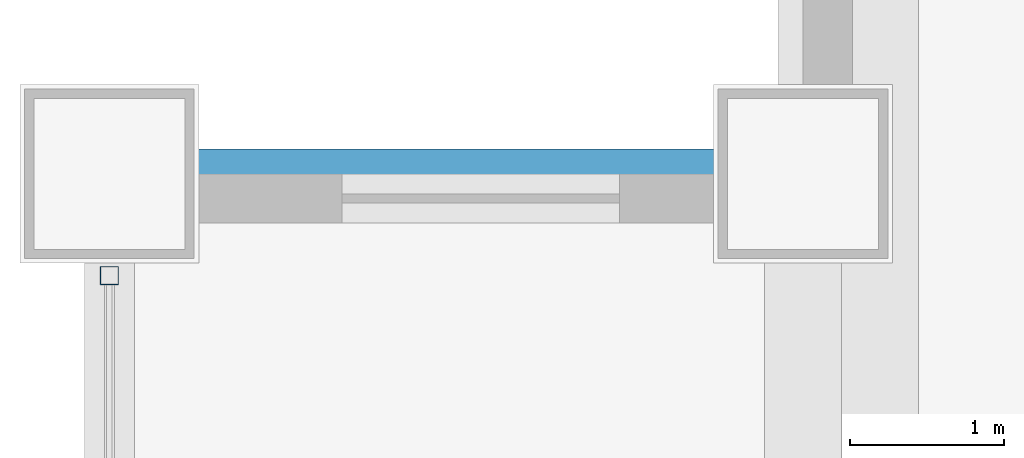
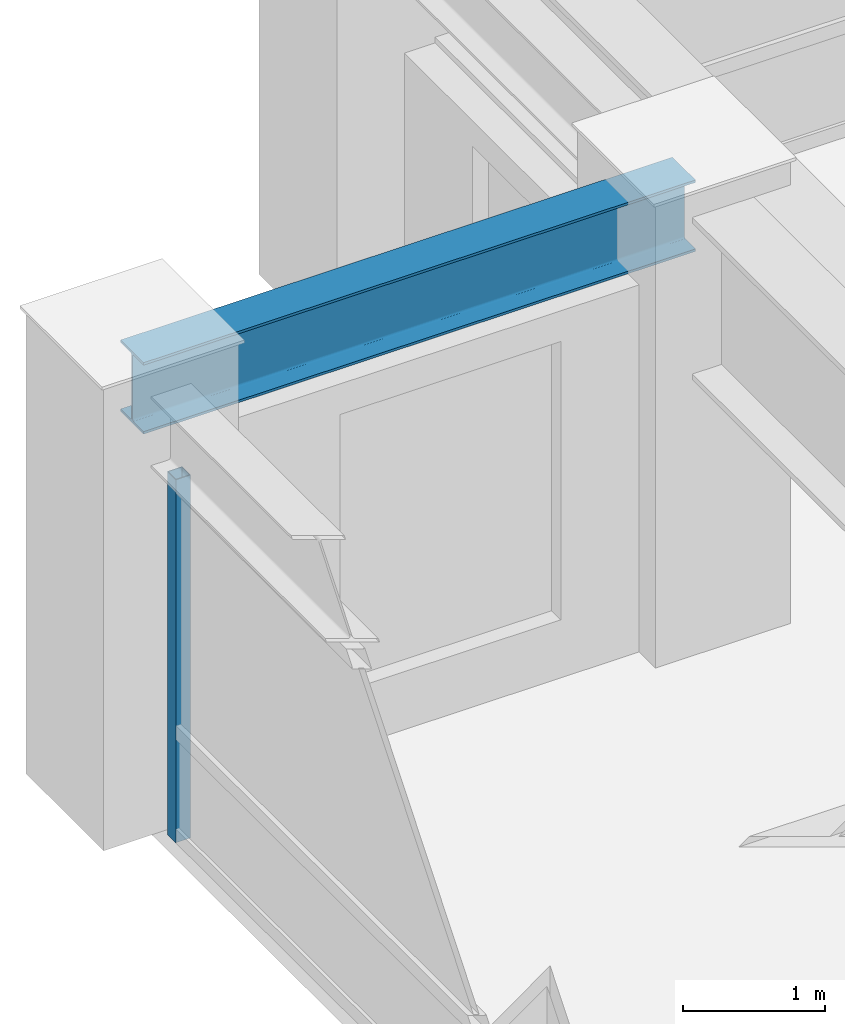
# One storey, part 12 of 26: 1 beam, 1 member, 1 element without a shape of its own.
"""IFC4 building model written with IfcOpenShell, lengths in metres."""

import ifcopenshell
import ifcopenshell.guid

model = None  # the IFC model being written
_history = None  # IfcOwnerHistory: only IFC2X3 demands one
_inside = {}  # id of a spatial element -> (the spatial element, [elements in it])
_under = {}  # id of a project, library or spatial element -> (it, [spatial elements below it])
_declared = {}  # id of a project -> (the project, [libraries it declares])
_typed = {}  # id of a type object -> (the type object, [elements of that type])
_made_of = {}  # id of a material, layer set ... -> (it, [elements and type objects made of it])


def new_model(schema):
    """Start an empty IFC model of exactly this schema.

    Asked for "IFC4X3", IfcOpenShell would pick the latest addendum, in which some entities
    have other attributes; the version numbers below select the first issue.
    IFC2X3 requires an IfcOwnerHistory on every rooted entity: one is made here for all.
    """
    global model, _history
    if schema == "IFC4X3":
        model = ifcopenshell.file(schema_version=(4, 3, 0, 0))
    else:
        model = ifcopenshell.file(schema=schema)
    _inside.clear()
    _under.clear()
    _declared.clear()
    _typed.clear()
    _made_of.clear()
    _history = None
    if model.schema == "IFC2X3":
        org = make("IfcOrganization", Name="unknown")
        user = make(
            "IfcPersonAndOrganization",
            ThePerson=make("IfcPerson", FamilyName="unknown"),
            TheOrganization=org,
        )
        app = make(
            "IfcApplication",
            ApplicationDeveloper=org,
            Version="unknown",
            ApplicationFullName="unknown",
            ApplicationIdentifier="unknown",
        )
        _history = make(
            "IfcOwnerHistory",
            OwningUser=user,
            OwningApplication=app,
            ChangeAction="ADDED",
            CreationDate=0,
        )
    return model


def make(cls, **values):
    """One entity of the class cls with the attributes given. An attribute that is None is left unset."""
    return model.create_entity(
        cls, **{name: value for name, value in values.items() if value is not None}
    )


def rooted(cls, **values):
    """An entity with a GlobalId (a new one), such as an element, a storey or a relation."""
    return make(cls, GlobalId=ifcopenshell.guid.new(), OwnerHistory=_history, **values)


def si_unit(unit_type, name, prefix=None):
    """IfcSIUnit, for example si_unit("LENGTHUNIT", "METRE", prefix="MILLI")."""
    return make("IfcSIUnit", UnitType=unit_type, Prefix=prefix, Name=name)


def assignment(units):
    """IfcUnitAssignment: the units of a project."""
    return None if units is None else make("IfcUnitAssignment", Units=units)


def point(xyz):
    """IfcCartesianPoint."""
    return None if xyz is None else make("IfcCartesianPoint", Coordinates=xyz)


def direction(xyz):
    """IfcDirection."""
    return None if xyz is None else make("IfcDirection", DirectionRatios=xyz)


def frame(location, z_axis=None, x_axis=None):
    """IfcAxis2Placement3D, a coordinate frame: its origin and axes. An axis left out is left unset."""
    return make(
        "IfcAxis2Placement3D",
        Location=point(location),
        Axis=direction(z_axis),
        RefDirection=direction(x_axis),
    )


def frame_2d(location, x_axis=None):
    """IfcAxis2Placement2D, a coordinate frame in the plane: its origin and x axis."""
    return make(
        "IfcAxis2Placement2D", Location=point(location), RefDirection=direction(x_axis)
    )


def origin():
    """The frame at (0, 0, 0) with its axes left unset."""
    return frame((0.0, 0.0, 0.0))


def origin_2d():
    """The frame at (0, 0) in the plane with its x axis left unset."""
    return frame_2d((0.0, 0.0))


def place(relative_to, where):
    """IfcLocalPlacement: puts the frame where relative to a parent placement (None: the world)."""
    return make(
        "IfcLocalPlacement", PlacementRelTo=relative_to, RelativePlacement=where
    )


def context(
    kind, dimensions, precision=None, world=None, true_north=None, identifier=None
):
    """IfcGeometricRepresentationContext, for example the 3D "Model" context."""
    return make(
        "IfcGeometricRepresentationContext",
        ContextIdentifier=identifier,
        ContextType=kind,
        CoordinateSpaceDimension=dimensions,
        Precision=precision,
        WorldCoordinateSystem=world,
        TrueNorth=true_north,
    )


def subcontext(parent, identifier, kind, view, scale=None):
    """IfcGeometricRepresentationSubContext, for example "Body" below "Model"."""
    return make(
        "IfcGeometricRepresentationSubContext",
        ContextIdentifier=identifier,
        ContextType=kind,
        ParentContext=parent,
        TargetScale=scale,
        TargetView=view,
    )


def project(units=None, contexts=None):
    """IfcProject with its units and contexts."""
    return rooted(
        "IfcProject",
        Name="project",
        RepresentationContexts=contexts,
        UnitsInContext=assignment(units),
    )


def spatial(cls, under=None, at=None, **own):
    """A site, building, storey or space (cls), placed at a placement, below another one or the project."""
    s = rooted(cls, ObjectPlacement=at, **own)
    if under is not None:
        _under.setdefault(under.id(), (under, []))[1].append(s)
    return s


def profile(cls, at=None, kind="AREA", **sizes):
    """A parametric profile (cls). Its sizes go by their IFC names, for example OverallWidth=200.0."""
    return make(cls, ProfileType=kind, Position=at, **sizes)


def hollow_rectangle(**sizes):
    """IfcRectangleHollowProfileDef."""
    return profile("IfcRectangleHollowProfileDef", **sizes)


def i_section(**sizes):
    """IfcIShapeProfileDef."""
    return profile("IfcIShapeProfileDef", **sizes)


def extrude(swept, where, along, depth):
    """IfcExtrudedAreaSolid: the profile swept, set in the frame where, extruded along a direction by depth."""
    return make(
        "IfcExtrudedAreaSolid",
        SweptArea=swept,
        Position=where,
        ExtrudedDirection=direction(along),
        Depth=depth,
    )


def shape(context_of_items, identifier, shape_type, items):
    """IfcShapeRepresentation: the items that make up one representation, for example the "Body"."""
    return make(
        "IfcShapeRepresentation",
        ContextOfItems=context_of_items,
        RepresentationIdentifier=identifier,
        RepresentationType=shape_type,
        Items=items,
    )


def source(mapping_origin, context_of_items, identifier, shape_type, items):
    """IfcRepresentationMap: a shape defined once, which mapped items show again and again."""
    return make(
        "IfcRepresentationMap",
        MappingOrigin=mapping_origin,
        MappedRepresentation=shape(context_of_items, identifier, shape_type, items),
    )


def transform(
    local_origin,
    x_axis=None,
    y_axis=None,
    z_axis=None,
    scale=None,
    scale2=None,
    scale3=None,
    uniform=True,
):
    """IfcCartesianTransformationOperator3D, or its non-uniform kind. x_axis, y_axis, z_axis: its Axis1, 2, 3."""
    if uniform:
        return make(
            "IfcCartesianTransformationOperator3D",
            Axis1=direction(x_axis),
            Axis2=direction(y_axis),
            LocalOrigin=point(local_origin),
            Scale=scale,
            Axis3=direction(z_axis),
        )
    return make(
        "IfcCartesianTransformationOperator3DnonUniform",
        Axis1=direction(x_axis),
        Axis2=direction(y_axis),
        LocalOrigin=point(local_origin),
        Scale=scale,
        Axis3=direction(z_axis),
        Scale2=scale2,
        Scale3=scale3,
    )


def mapped(mapping_source, mapping_target):
    """IfcMappedItem: shows the shape of a source again, moved by a transform."""
    return make(
        "IfcMappedItem", MappingSource=mapping_source, MappingTarget=mapping_target
    )


def material(Name=None, Category=None):
    """IfcMaterial."""
    return make("IfcMaterial", Name=Name, Category=Category)


def material_profile(
    of_material, cross_section, Name=None, Category=None, Priority=None
):
    """IfcMaterialProfile: a cross section and its material."""
    return make(
        "IfcMaterialProfile",
        Name=Name,
        Material=of_material,
        Profile=cross_section,
        Priority=Priority,
        Category=Category,
    )


def profile_set(profiles, Name=None, composite=None):
    """IfcMaterialProfileSet."""
    return make(
        "IfcMaterialProfileSet",
        Name=Name,
        MaterialProfiles=profiles,
        CompositeProfile=composite,
    )


def made_of(thing, what):
    """Note that an element or type object is made of a material, layer set ...; save() writes the relation."""
    if what is not None:
        _made_of.setdefault(what.id(), (what, []))[1].append(thing)
    return thing


def type_object(cls, material=None, **own):
    """A type object (cls), such as IfcWallType, which elements share."""
    return made_of(rooted(cls, **own), material)


def element(
    cls,
    number,
    at=None,
    inside=None,
    cuts=None,
    type_object=None,
    material=None,
    context=None,
    identifier="Body",
    shape_type=None,
    held_by="IfcProductDefinitionShape",
    body=None,
    shapes=None,
    **own,
):
    """One element of the class cls, such as IfcWall. Its Tag is "e" and its number.

    at: its placement. inside: the storey or other place that contains it. cuts: it is an
    opening in that element (IfcRelVoidsElement). A single representation is given by context,
    identifier, shape_type and body (its items); several are given by shapes. held_by: the class
    of the entity that holds the representations. save() writes the other relations.
    """
    e = rooted(cls, Tag="e%d" % number, ObjectPlacement=at, **own)
    if body is not None:
        shapes = [shape(context, identifier, shape_type, body)]
    if shapes is not None:
        e.Representation = make(held_by, Representations=shapes)
    if inside is not None:
        _inside.setdefault(inside.id(), (inside, []))[1].append(e)
    if cuts is not None:
        rooted(
            "IfcRelVoidsElement", RelatingBuildingElement=cuts, RelatedOpeningElement=e
        )
    if type_object is not None:
        _typed.setdefault(type_object.id(), (type_object, []))[1].append(e)
    return made_of(e, material)


def aggregate(whole, parts):
    """IfcRelAggregates: a whole, such as a stair, and the parts it consists of."""
    return rooted("IfcRelAggregates", RelatingObject=whole, RelatedObjects=parts)


def save(model, path):
    """Write the relations noted so far, then the file.

    IfcRelAggregates (storeys below a building ...), IfcRelContainedInSpatialStructure (elements
    in a storey), IfcRelDefinesByType, IfcRelAssociatesMaterial and IfcRelDeclares: one each for
    every whole, place, type object, material and project.
    """
    for whole, parts in _under.values():
        aggregate(whole, parts)
    for where, things in _inside.values():
        rooted(
            "IfcRelContainedInSpatialStructure",
            RelatedElements=things,
            RelatingStructure=where,
        )
    for kind, things in _typed.values():
        rooted("IfcRelDefinesByType", RelatedObjects=things, RelatingType=kind)
    for what, things in _made_of.values():
        rooted("IfcRelAssociatesMaterial", RelatedObjects=things, RelatingMaterial=what)
    for by, libraries in _declared.values():
        rooted("IfcRelDeclares", RelatingContext=by, RelatedDefinitions=libraries)
    model.write(path)


model = new_model("IFC4")

# Units and contexts
model_context = context("Model", 3, precision=1e-05, world=origin(), true_north=direction((0.0, 1.0)))
body_context = subcontext(model_context, "Body", "Model", "MODEL_VIEW")
ifc_project = project(units=[si_unit("LENGTHUNIT", "METRE"), si_unit("AREAUNIT", "SQUARE_METRE"), si_unit("VOLUMEUNIT", "CUBIC_METRE"), si_unit("PLANEANGLEUNIT", "RADIAN"), si_unit("MASSUNIT", "GRAM", prefix="KILO")], contexts=[model_context])

# Site, building, storey
site_placement = place(None, origin())
site = spatial("IfcSite", under=ifc_project, at=site_placement, CompositionType="ELEMENT")
building_placement = place(site_placement, origin())
building = spatial("IfcBuilding", under=site, at=building_placement, Name="Khorayat Bourse Tower", CompositionType="ELEMENT")
storey_placement = place(building_placement, frame((0.0, 0.0, 207.10009765625)))
storey = spatial("IfcBuildingStorey", under=building, at=storey_placement, Name="L48", CompositionType="ELEMENT", Elevation=207.10009765625)

# Beam
ifc_material_1 = material(Name="Steel ASTM A992 Grade 50", Category="steel")
ifc_material_profile_1 = material_profile(ifc_material_1, i_section(OverallWidth=0.324951171875, OverallDepth=0.615966796875, WebThickness=0.013916015625, FlangeThickness=0.021484375, FilletRadius=0.01611328125, at=origin_2d()), Name="W610X174")
ifc_profile_set_1 = profile_set([ifc_material_profile_1], Name="Steel ASTM A992 Grade 50")
beam_type = type_object("IfcBeamType", Name="BM-SPAN-610", PredefinedType="SPANDREL", material=ifc_profile_set_1)
shared_shape_1 = source(origin(), body_context, "Body", "SweptSolid", [
    extrude(i_section(OverallWidth=0.324951171875, OverallDepth=0.615966796875, WebThickness=0.013916015625, FlangeThickness=0.021484375, FilletRadius=0.01611328125, at=origin_2d()), origin(), (0.0, 0.0, 1.0), 4.5),
])
beam_placement = place(storey_placement, frame((-30.0, 25.5, 3.471923828125), z_axis=(1.0, 0.0, 0.0), x_axis=(0.0, 1.0, 0.0)))
element("IfcBeam", 1, at=beam_placement, inside=storey, type_object=beam_type, Name="L48 BM-SPAN-610 BM-L48-SPN-053", PredefinedType="SPANDREL", context=body_context, shape_type="MappedRepresentation", body=[
    mapped(shared_shape_1, transform((0.0, 0.0, 0.0), scale=1.0)),
])

# Curtain wall, member
ifc_material_2 = material(Name="Aluminium EN AW-6063 T6", Category="aluminium")
curtain_wall_type = type_object("IfcCurtainWallType", Name="CW-SYS-03", PredefinedType="NOTDEFINED", material=ifc_material_2)
curtain_wall_placement = place(storey_placement, origin())
curtain_wall = element("IfcCurtainWall", 2, at=curtain_wall_placement, inside=storey, type_object=curtain_wall_type, Name="L48 Curtain Wall CW-L48-W1", PredefinedType="NOTDEFINED")
ifc_material_profile_2 = material_profile(ifc_material_2, hollow_rectangle(XDim=0.1201171875, YDim=0.1201171875, WallThickness=0.0048828125, at=origin_2d()), Name="ALU 120x120x5")
ifc_profile_set_2 = profile_set([ifc_material_profile_2], Name="Aluminium EN AW-6063 T6")
member_type = type_object("IfcMemberType", Name="CWM-VERT-120", PredefinedType="MULLION", material=ifc_profile_set_2)
shared_shape_2 = source(origin(), body_context, "Body", "SweptSolid", [
    extrude(hollow_rectangle(XDim=0.1201171875, YDim=0.1201171875, WallThickness=0.0048828125, at=origin_2d()), origin(), (0.0, 0.0, 1.0), 3.1298828125),
])
member_placement = place(storey_placement, frame((-30.0, 24.840087890625, 0.0), z_axis=(0.0, 0.0, 1.0), x_axis=(-1.0, 0.0, 0.0)))
member = element("IfcMember", 3, at=member_placement, type_object=member_type, Name="CW-L48-W1 Vertical Mullion 3", PredefinedType="MULLION", context=body_context, shape_type="MappedRepresentation", body=[
    mapped(shared_shape_2, transform((0.0, 0.0, 0.0), scale=1.0)),
])
aggregate(curtain_wall, [member])

save(model, "model.ifc")
